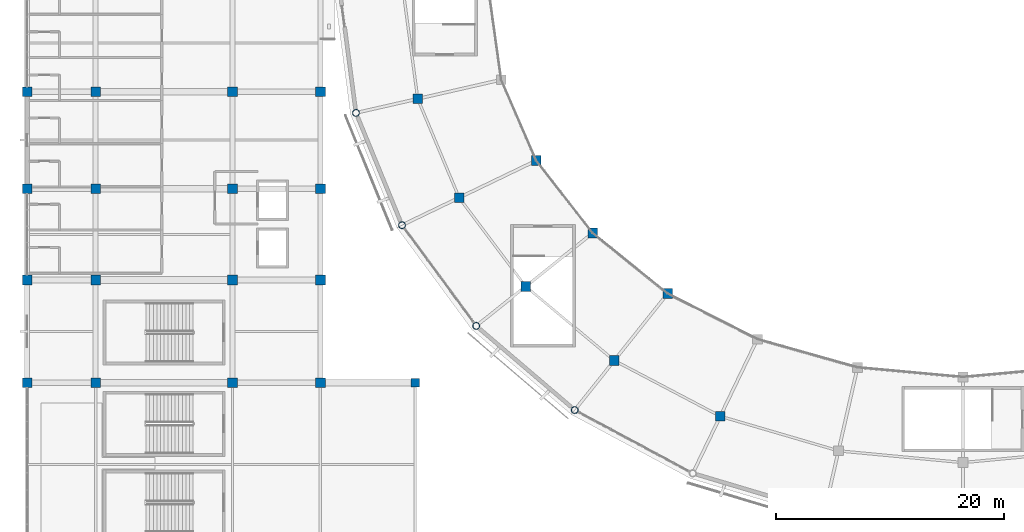
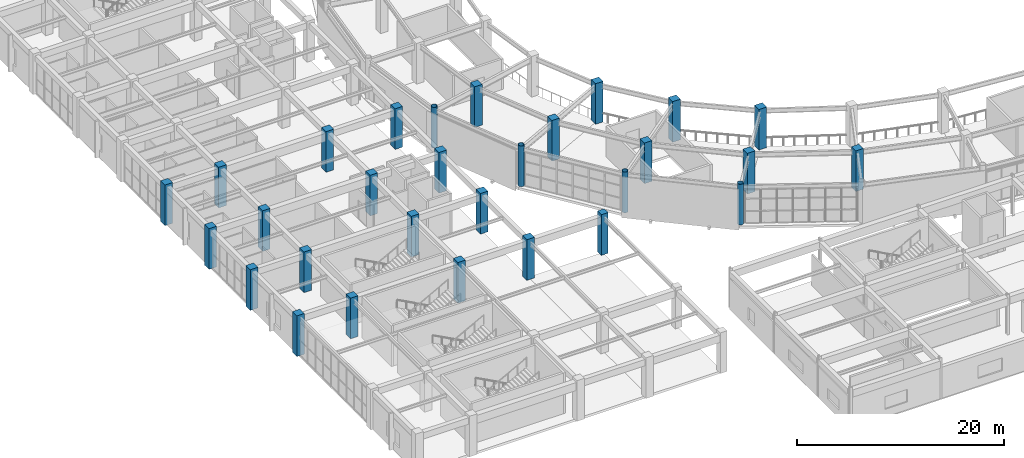
# One storey, part 3 of 112: 29 columns.
"""IFC4 building model written with IfcOpenShell, lengths in metres."""

from ifc_helpers import new_model, si_unit, direction, frame, origin, origin_2d, place, context, subcontext, project, spatial, rectangle, hollow_circle, extrude, material, material_profile, profile_set, type_object, element, save


model = new_model("IFC4")

# Units and contexts
model_context = context("Model", 3, precision=1e-05, world=origin(), true_north=direction((0.0, 1.0)))
body_context = subcontext(model_context, "Body", "Model", "MODEL_VIEW")
ifc_project = project(units=[si_unit("LENGTHUNIT", "METRE"), si_unit("AREAUNIT", "SQUARE_METRE"), si_unit("VOLUMEUNIT", "CUBIC_METRE"), si_unit("PLANEANGLEUNIT", "RADIAN"), si_unit("MASSUNIT", "GRAM", prefix="KILO")], contexts=[model_context])

# Site, building, storey
site_placement = place(None, origin())
site = spatial("IfcSite", under=ifc_project, at=site_placement, CompositionType="ELEMENT")
building_placement = place(site_placement, origin())
building = spatial("IfcBuilding", under=site, at=building_placement, Name="Cuetzalor Civic Arena", CompositionType="ELEMENT")
storey_placement = place(building_placement, frame((0.0, 0.0, 11.39990234375)))
storey = spatial("IfcBuildingStorey", under=building, at=storey_placement, Name="L02", CompositionType="ELEMENT", Elevation=11.39990234375)

# Columns
ifc_material_1 = material(Name="Concrete C40/50", Category="concrete")
ifc_material_profile_1 = material_profile(ifc_material_1, rectangle(XDim=0.75, YDim=0.75, at=origin_2d()), Name="RC 750x750")
ifc_profile_set_1 = profile_set([ifc_material_profile_1], Name="Concrete C40/50")
column_type_1 = type_object("IfcColumnType", Name="ConcreteColumn_750", PredefinedType="COLUMN", material=ifc_profile_set_1)
column_placement = place(storey_placement, frame((-48.0, -34.0, 0.0), z_axis=(0.0, 0.0, 1.0), x_axis=(1.0, 0.0, 0.0)))
element("IfcColumn", 1, at=column_placement, inside=storey, type_object=column_type_1, Name="Column V4W-RET-03 L02", PredefinedType="COLUMN", context=body_context, shape_type="SweptSolid", body=[
    extrude(rectangle(XDim=0.75, YDim=0.75, at=origin_2d()), origin(), (0.0, 0.0, 1.0), 4.800048828125),
])
ifc_material_2 = material(Name="Concrete C40/50", Category="concrete")
ifc_material_profile_2 = material_profile(ifc_material_2, rectangle(XDim=0.85009765625, YDim=0.85009765625, at=origin_2d()), Name="RC 850x850")
ifc_profile_set_2 = profile_set([ifc_material_profile_2], Name="Concrete C40/50")
column_type_2 = type_object("IfcColumnType", Name="ConcreteColumn_850", PredefinedType="COLUMN", material=ifc_profile_set_2)
for number, where, z_axis, x_axis, name in (
    (2, (-47.771484375, -9.123291015625, 0.0), (0.0, 0.0, 1.0), (1.0, 0.0, 0.0), "Column V1-REC-16 L02"),
    (3, (-44.1474609375, -17.789306640625, 0.0), (0.0, 0.0, 1.0), (1.0, 0.0, 0.0), "Column V1-REC-17 L02"),
    (4, (-37.39013671875, -14.53515625, 0.0), (0.0, 0.0, 1.0), (1.0, 0.0, 0.0), "Column V1-MID-17 L02"),
    (5, (-38.309814453125, -25.56298828125, 0.0), (0.0, 0.0, 1.0), (1.0, 0.0, 0.0), "Column V1-REC-18 L02"),
    (6, (-32.446044921875, -20.886962890625, 0.0), (0.0, 0.0, 1.0), (1.0, 0.0, 0.0), "Column V1-MID-18 L02"),
    (7, (-30.551025390625, -32.05517578125, 0.0), (0.0, 0.0, 1.0), (1.0, 0.0, 0.0), "Column V1-REC-19 L02"),
    (8, (-25.874755859375, -26.19140625, 0.0), (0.0, 0.0, 1.0), (1.0, 0.0, 0.0), "Column V1-MID-19 L02"),
    (9, (-21.26025390625, -36.939697265625, 0.0), (0.0, 0.0, 1.0), (1.0, 0.0, 0.0), "Column V1-REC-20 L02"),
    (10, (-82.0, -34.0, 0.0), (0.0, 0.0, 1.0), (1.0, 0.0, 0.0), "Column V4W-C-01-03 L02"),
    (11, (-82.0, -25.0, 0.0), (0.0, 0.0, 1.0), (1.0, 0.0, 0.0), "Column V4W-C-01-04 L02"),
    (12, (-82.0, -17.0, 0.0), (0.0, 0.0, 1.0), (1.0, 0.0, 0.0), "Column V4W-C-01-05 L02"),
    (13, (-82.0, -8.5, 0.0), (0.0, 0.0, 1.0), (1.0, 0.0, 0.0), "Column V4W-C-01-06 L02"),
    (14, (-76.0, -34.0, 0.0), (0.0, 0.0, 1.0), (1.0, 0.0, 0.0), "Column V4W-C-02-03 L02"),
    (15, (-76.0, -25.0, 0.0), (0.0, 0.0, 1.0), (1.0, 0.0, 0.0), "Column V4W-C-02-04 L02"),
    (16, (-76.0, -17.0, 0.0), (0.0, 0.0, 1.0), (1.0, 0.0, 0.0), "Column V4W-C-02-05 L02"),
    (17, (-76.0, -8.5, 0.0), (0.0, 0.0, 1.0), (1.0, 0.0, 0.0), "Column V4W-C-02-06 L02"),
    (18, (-64.0, -34.0, 0.0), (0.0, 0.0, 1.0), (1.0, 0.0, 0.0), "Column V4W-C-03-03 L02"),
    (19, (-64.0, -25.0, 0.0), (0.0, 0.0, 1.0), (1.0, 0.0, 0.0), "Column V4W-C-03-04 L02"),
    (20, (-64.0, -17.0, 0.0), (0.0, 0.0, 1.0), (1.0, 0.0, 0.0), "Column V4W-C-03-05 L02"),
    (21, (-64.0, -8.5, 0.0), (0.0, 0.0, 1.0), (1.0, 0.0, 0.0), "Column V4W-C-03-06 L02"),
    (22, (-56.300048828125, -34.0, 0.0), (0.0, 0.0, 1.0), (1.0, 0.0, 0.0), "Column V4W-C-04-03 L02"),
    (23, (-56.300048828125, -25.0, 0.0), (0.0, 0.0, 1.0), (1.0, 0.0, 0.0), "Column V4W-C-04-04 L02"),
    (24, (-56.300048828125, -17.0, 0.0), (0.0, 0.0, 1.0), (1.0, 0.0, 0.0), "Column V4W-C-04-05 L02"),
    (25, (-56.300048828125, -8.5, 0.0), (0.0, 0.0, 1.0), (1.0, 0.0, 0.0), "Column V4W-C-04-06 L02"),
):
    element("IfcColumn", number, at=place(storey_placement, frame(where, z_axis=z_axis, x_axis=x_axis)), inside=storey, type_object=column_type_2, Name=name, PredefinedType="COLUMN", context=body_context, shape_type="SweptSolid", body=[
        extrude(rectangle(XDim=0.85009765625, YDim=0.85009765625, at=origin_2d()), origin(), (0.0, 0.0, 1.0), 4.800048828125),
    ])
ifc_material_3 = material(Name="Steel S355", Category="steel")
ifc_material_profile_3 = material_profile(ifc_material_3, hollow_circle(Radius=0.304931640625, WallThickness=0.02490234375, at=origin_2d()), Name="CHS 610x25")
ifc_profile_set_3 = profile_set([ifc_material_profile_3], Name="Steel S355")
column_type_3 = type_object("IfcColumnType", Name="SteelDomePylon_CHS610", PredefinedType="COLUMN", material=ifc_profile_set_3)
for number, where, z_axis, x_axis, name in (
    (26, (-53.182373046875, -10.3583984375, 0.0), (0.0, 0.0, 1.0), (1.0, 0.0, 0.0), "Column V1-PYL-16 L02"),
    (27, (-49.14794921875, -20.197265625, 0.0), (0.0, 0.0, 1.0), (1.0, 0.0, 0.0), "Column V1-PYL-17 L02"),
    (28, (-42.64892578125, -29.0234375, 0.0), (0.0, 0.0, 1.0), (1.0, 0.0, 0.0), "Column V1-PYL-18 L02"),
    (29, (-34.011474609375, -36.394287109375, 0.0), (0.0, 0.0, 1.0), (1.0, 0.0, 0.0), "Column V1-PYL-19 L02"),
):
    element("IfcColumn", number, at=place(storey_placement, frame(where, z_axis=z_axis, x_axis=x_axis)), inside=storey, type_object=column_type_3, Name=name, PredefinedType="COLUMN", context=body_context, shape_type="SweptSolid", body=[
        extrude(hollow_circle(Radius=0.304931640625, WallThickness=0.02490234375, at=origin_2d()), origin(), (0.0, 0.0, 1.0), 4.800048828125),
    ])

save(model, "model.ifc")
